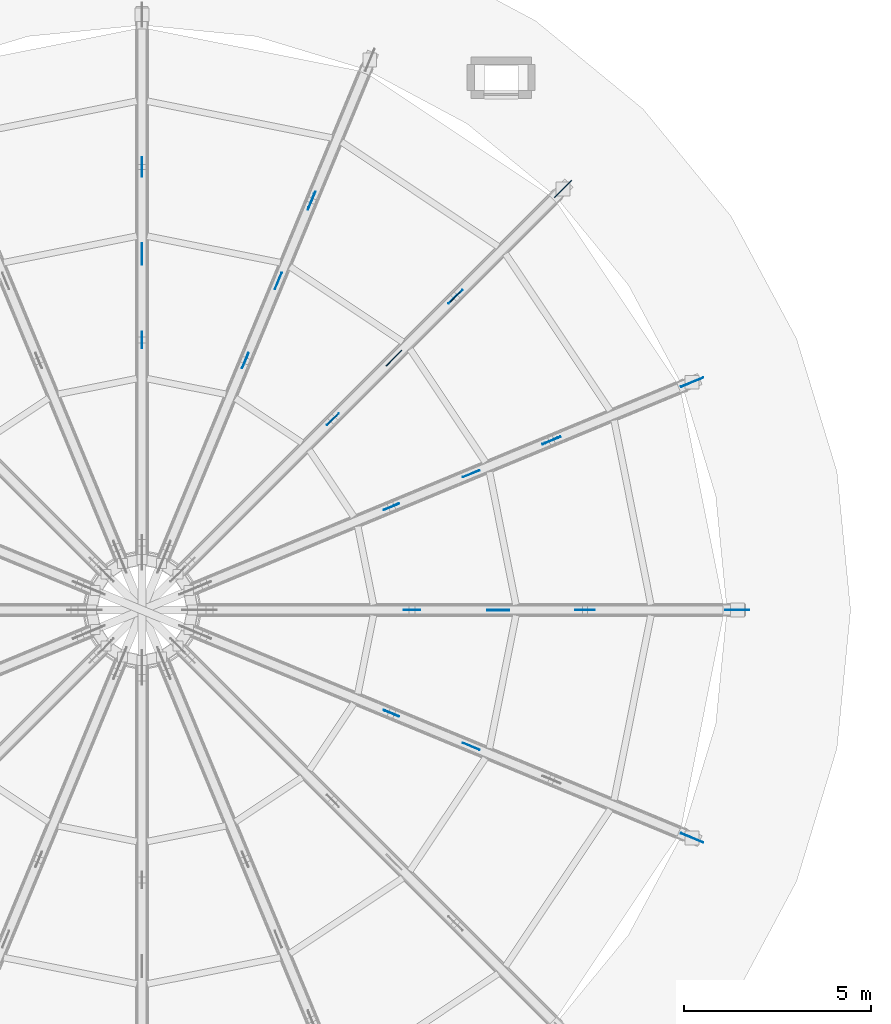
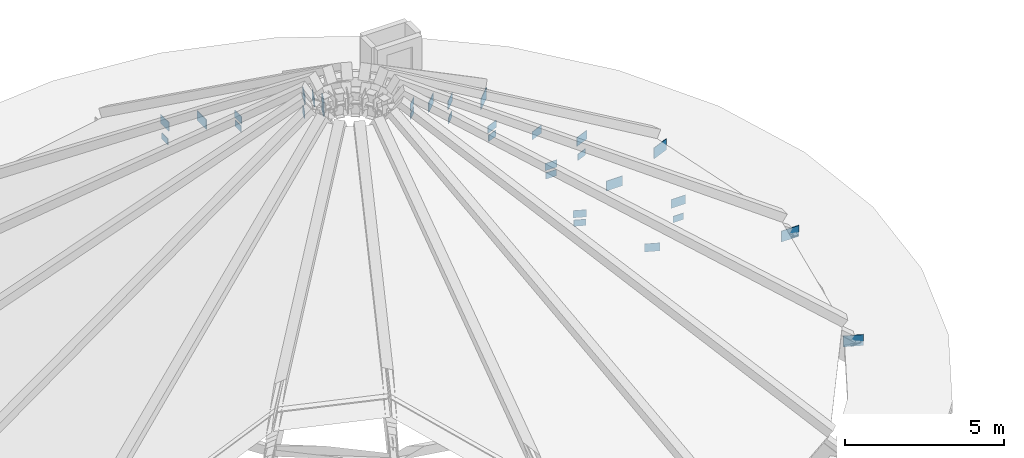
# One storey, part 29 of 58: 32 plates.
"""IFC4 building model written with IfcOpenShell, lengths in metres."""

from ifc_helpers import new_model, si_unit, direction, frame, origin, origin_2d, place, context, subcontext, project, spatial, rectangle, extrude, material, layer, layer_set, type_object, element, save


model = new_model("IFC4")

# Units and contexts
model_context = context("Model", 3, precision=1e-05, world=origin(), true_north=direction((0.0, 1.0)))
body_context = subcontext(model_context, "Body", "Model", "MODEL_VIEW")
ifc_project = project(units=[si_unit("LENGTHUNIT", "METRE"), si_unit("AREAUNIT", "SQUARE_METRE"), si_unit("VOLUMEUNIT", "CUBIC_METRE"), si_unit("PLANEANGLEUNIT", "RADIAN"), si_unit("MASSUNIT", "GRAM", prefix="KILO")], contexts=[model_context])

# Site, building, storey
site_placement = place(None, origin())
site = spatial("IfcSite", under=ifc_project, at=site_placement, CompositionType="ELEMENT")
building_placement = place(site_placement, origin())
building = spatial("IfcBuilding", under=site, at=building_placement, Name="Aldenvaro Health Centre", CompositionType="ELEMENT")
storey_placement = place(building_placement, frame((0.0, 0.0, 8.75)))
storey = spatial("IfcBuildingStorey", under=building, at=storey_placement, Name="L02", CompositionType="ELEMENT", Elevation=8.75)

# Plates
ifc_material = material(Name="Steel ASTM A572 Grade 50", Category="steel")
ifc_layer_1 = layer(ifc_material, 0.02001953125, Name="Steel ASTM A572 Grade 50", Category="steel")
ifc_layer_set_1 = layer_set([ifc_layer_1], Name="Steel ASTM A572 Grade 50")
plate_type_1 = type_object("IfcPlateType", Name="PLT-GUS-01", PredefinedType="SHEET", material=ifc_layer_set_1)
for number, where, z_axis, x_axis, name in (
    (1, (102.8798828125, 20.0, 0.239990234375), (0.0, 0.0, 1.0), (1.0, 0.0, 0.0), "Truss Gusset Plate 01.1"),
    (2, (101.6708984375, 26.076904296875, 0.239990234375), (0.0, 0.0, 1.0), (0.923879532511, 0.382683432365, 0.0), "Truss Gusset Plate 02.1"),
    (3, (98.22900390625, 31.22900390625, 0.239990234375), (0.0, 0.0, 1.0), (0.707106781187, 0.707106781187, 0.0), "Truss Gusset Plate 03.1"),
    (4, (101.6708984375, 13.923095703125, 0.239990234375), (0.0, 0.0, 1.0), (0.923879532511, -0.382683432365, 0.0), "Truss Gusset Plate 16.1"),
):
    element("IfcPlate", number, at=place(storey_placement, frame(where, z_axis=z_axis, x_axis=x_axis)), inside=storey, type_object=plate_type_1, Name=name, PredefinedType="SHEET", context=body_context, shape_type="SweptSolid", body=[
        extrude(rectangle(XDim=0.639892578125, YDim=0.02001953125, at=origin_2d()), origin(), (0.0, 0.0, 1.0), 0.419921875),
    ])
ifc_layer_2 = layer(ifc_material, 0.01806640625, Name="Steel ASTM A572 Grade 50", Category="steel")
ifc_layer_set_2 = layer_set([ifc_layer_2], Name="Steel ASTM A572 Grade 50")
plate_type_2 = type_object("IfcPlateType", Name="PLT-GUS-02", PredefinedType="SHEET", material=ifc_layer_set_2)
for number, where, z_axis, x_axis, name in (
    (5, (98.820068359375, 20.0, 2.93212890625), (0.0, 0.0, 1.0), (1.0, 0.0, 0.0), "Truss Gusset Plate 01.2"),
    (6, (97.919921875, 24.52294921875, 2.93212890625), (0.0, 0.0, 1.0), (0.923879532511, 0.382683432365, 0.0), "Truss Gusset Plate 02.2"),
    (7, (95.35791015625, 28.35791015625, 2.93212890625), (0.0, 0.0, 1.0), (0.707106781187, 0.707106781187, 0.0), "Truss Gusset Plate 03.2"),
    (8, (91.52294921875, 30.919921875, 2.93212890625), (0.0, 0.0, 1.0), (0.382683432365, 0.923879532511, 0.0), "Truss Gusset Plate 04.2"),
    (9, (87.0, 31.820068359375, 2.93212890625), (0.0, 0.0, 1.0), (0.0, 1.0, 0.0), "Truss Gusset Plate 05.2"),
):
    element("IfcPlate", number, at=place(storey_placement, frame(where, z_axis=z_axis, x_axis=x_axis)), inside=storey, type_object=plate_type_2, Name=name, PredefinedType="SHEET", context=body_context, shape_type="SweptSolid", body=[
        extrude(rectangle(XDim=0.52001953125, YDim=0.01806640625, at=origin_2d()), origin(), (0.0, 0.0, 1.0), 0.340087890625),
    ])
ifc_layer_3 = layer(ifc_material, 0.01611328125, Name="Steel ASTM A572 Grade 50", Category="steel")
ifc_layer_set_3 = layer_set([ifc_layer_3], Name="Steel ASTM A572 Grade 50")
plate_type_3 = type_object("IfcPlateType", Name="PLT-GUS-03", PredefinedType="SHEET", material=ifc_layer_set_3)
for number, where, z_axis, x_axis, name in (
    (10, (94.199951171875, 20.0, 5.97900390625), (0.0, 0.0, 1.0), (1.0, 0.0, 0.0), "Truss Gusset Plate 01.3"),
    (11, (93.652099609375, 22.7548828125, 5.97900390625), (0.0, 0.0, 1.0), (0.923879532511, 0.382683432365, 0.0), "Truss Gusset Plate 02.3"),
    (12, (92.091064453125, 25.091064453125, 5.97900390625), (0.0, 0.0, 1.0), (0.707106781187, 0.707106781187, 0.0), "Truss Gusset Plate 03.3"),
    (13, (89.7548828125, 26.652099609375, 5.97900390625), (0.0, 0.0, 1.0), (0.382683432365, 0.923879532511, 0.0), "Truss Gusset Plate 04.3"),
    (14, (87.0, 27.199951171875, 5.97900390625), (0.0, 0.0, 1.0), (0.0, 1.0, 0.0), "Truss Gusset Plate 05.3"),
    (15, (93.652099609375, 17.2451171875, 5.97900390625), (0.0, 0.0, 1.0), (0.923879532511, -0.382683432365, 0.0), "Truss Gusset Plate 16.3"),
):
    element("IfcPlate", number, at=place(storey_placement, frame(where, z_axis=z_axis, x_axis=x_axis)), inside=storey, type_object=plate_type_3, Name=name, PredefinedType="SHEET", context=body_context, shape_type="SweptSolid", body=[
        extrude(rectangle(XDim=0.43994140625, YDim=0.01611328125, at=origin_2d()), origin(), (0.0, 0.0, 1.0), 0.280029296875),
    ])
ifc_layer_4 = layer(ifc_material, 0.02197265625, Name="Steel ASTM A572 Grade 50", Category="steel")
ifc_layer_set_4 = layer_set([ifc_layer_4], Name="Steel ASTM A572 Grade 50")
plate_type_4 = type_object("IfcPlateType", Name="PLT-GUS-04", PredefinedType="SHEET", material=ifc_layer_set_4)
for number, where, z_axis, x_axis, name in (
    (16, (98.820068359375, 20.0, 2.36181640625), (0.0, 0.0, 1.0), (1.0, 0.0, 0.0), "Truss Web Top Gusset 01.1"),
    (17, (94.199951171875, 20.0, 5.65283203125), (0.0, 0.0, 1.0), (1.0, 0.0, 0.0), "Truss Web Top Gusset 01.2"),
    (18, (97.919921875, 24.52294921875, 2.36181640625), (0.0, 0.0, 1.0), (0.923879532511, 0.382683432365, 0.0), "Truss Web Top Gusset 02.1"),
    (19, (93.652099609375, 22.7548828125, 5.65283203125), (0.0, 0.0, 1.0), (0.923879532511, 0.382683432365, 0.0), "Truss Web Top Gusset 02.2"),
    (20, (95.35791015625, 28.35791015625, 2.36181640625), (0.0, 0.0, 1.0), (0.707106781187, 0.707106781187, 0.0), "Truss Web Top Gusset 03.1"),
    (21, (92.091064453125, 25.091064453125, 5.65283203125), (0.0, 0.0, 1.0), (0.707106781187, 0.707106781187, 0.0), "Truss Web Top Gusset 03.2"),
    (22, (91.52294921875, 30.919921875, 2.36181640625), (0.0, 0.0, 1.0), (0.382683432365, 0.923879532511, 0.0), "Truss Web Top Gusset 04.1"),
    (23, (89.7548828125, 26.652099609375, 5.65283203125), (0.0, 0.0, 1.0), (0.382683432365, 0.923879532511, 0.0), "Truss Web Top Gusset 04.2"),
    (24, (87.0, 31.820068359375, 2.36181640625), (0.0, 0.0, 1.0), (0.0, 1.0, 0.0), "Truss Web Top Gusset 05.1"),
    (25, (87.0, 27.199951171875, 5.65283203125), (0.0, 0.0, 1.0), (0.0, 1.0, 0.0), "Truss Web Top Gusset 05.2"),
    (26, (93.652099609375, 17.2451171875, 5.65283203125), (0.0, 0.0, 1.0), (0.923879532511, -0.382683432365, 0.0), "Truss Web Top Gusset 16.2"),
):
    element("IfcPlate", number, at=place(storey_placement, frame(where, z_axis=z_axis, x_axis=x_axis)), inside=storey, type_object=plate_type_4, Name=name, PredefinedType="SHEET", context=body_context, shape_type="SweptSolid", body=[
        extrude(rectangle(XDim=0.3798828125, YDim=0.02197265625, at=origin_2d()), origin(), (0.0, 0.0, 1.0), 0.239990234375),
    ])
ifc_layer_5 = layer(ifc_material, 0.02392578125, Name="Steel ASTM A572 Grade 50", Category="steel")
ifc_layer_set_5 = layer_set([ifc_layer_5], Name="Steel ASTM A572 Grade 50")
plate_type_5 = type_object("IfcPlateType", Name="PLT-GUS-05", PredefinedType="SHEET", material=ifc_layer_set_5)
for number, where, z_axis, x_axis, name in (
    (27, (96.5, 20.0, 4.427001953125), (0.0, 0.0, 1.0), (1.0, 0.0, 0.0), "Truss Gusset Plate 01.5"),
    (28, (93.718017578125, 26.718017578125, 4.427001953125), (0.0, 0.0, 1.0), (0.707106781187, 0.707106781187, 0.0), "Truss Gusset Plate 03.5"),
    (29, (87.0, 29.5, 4.427001953125), (0.0, 0.0, 1.0), (0.0, 1.0, 0.0), "Truss Gusset Plate 05.5"),
):
    element("IfcPlate", number, at=place(storey_placement, frame(where, z_axis=z_axis, x_axis=x_axis)), inside=storey, type_object=plate_type_5, Name=name, PredefinedType="SHEET", context=body_context, shape_type="SweptSolid", body=[
        extrude(rectangle(XDim=0.580078125, YDim=0.02392578125, at=origin_2d()), origin(), (0.0, 0.0, 1.0), 0.3798828125),
    ])
ifc_layer_6 = layer(ifc_material, 0.014892578125, Name="Steel ASTM A572 Grade 50", Category="steel")
ifc_layer_set_6 = layer_set([ifc_layer_6], Name="Steel ASTM A572 Grade 50")
plate_type_6 = type_object("IfcPlateType", Name="PLT-GUS-06", PredefinedType="SHEET", material=ifc_layer_set_6)
for number, where, z_axis, x_axis, name in (
    (30, (95.777099609375, 23.635009765625, 4.4619140625), (0.0, 0.0, 1.0), (0.923879532511, 0.382683432365, 0.0), "Truss Gusset Plate 02.5"),
    (31, (90.635009765625, 28.777099609375, 4.4619140625), (0.0, 0.0, 1.0), (0.382683432365, 0.923879532511, 0.0), "Truss Gusset Plate 04.5"),
    (32, (95.777099609375, 16.364990234375, 4.4619140625), (0.0, 0.0, 1.0), (0.923879532511, -0.382683432365, 0.0), "Truss Gusset Plate 16.5"),
):
    element("IfcPlate", number, at=place(storey_placement, frame(where, z_axis=z_axis, x_axis=x_axis)), inside=storey, type_object=plate_type_6, Name=name, PredefinedType="SHEET", context=body_context, shape_type="SweptSolid", body=[
        extrude(rectangle(XDim=0.47998046875, YDim=0.014892578125, at=origin_2d()), origin(), (0.0, 0.0, 1.0), 0.31005859375),
    ])

save(model, "model.ifc")
